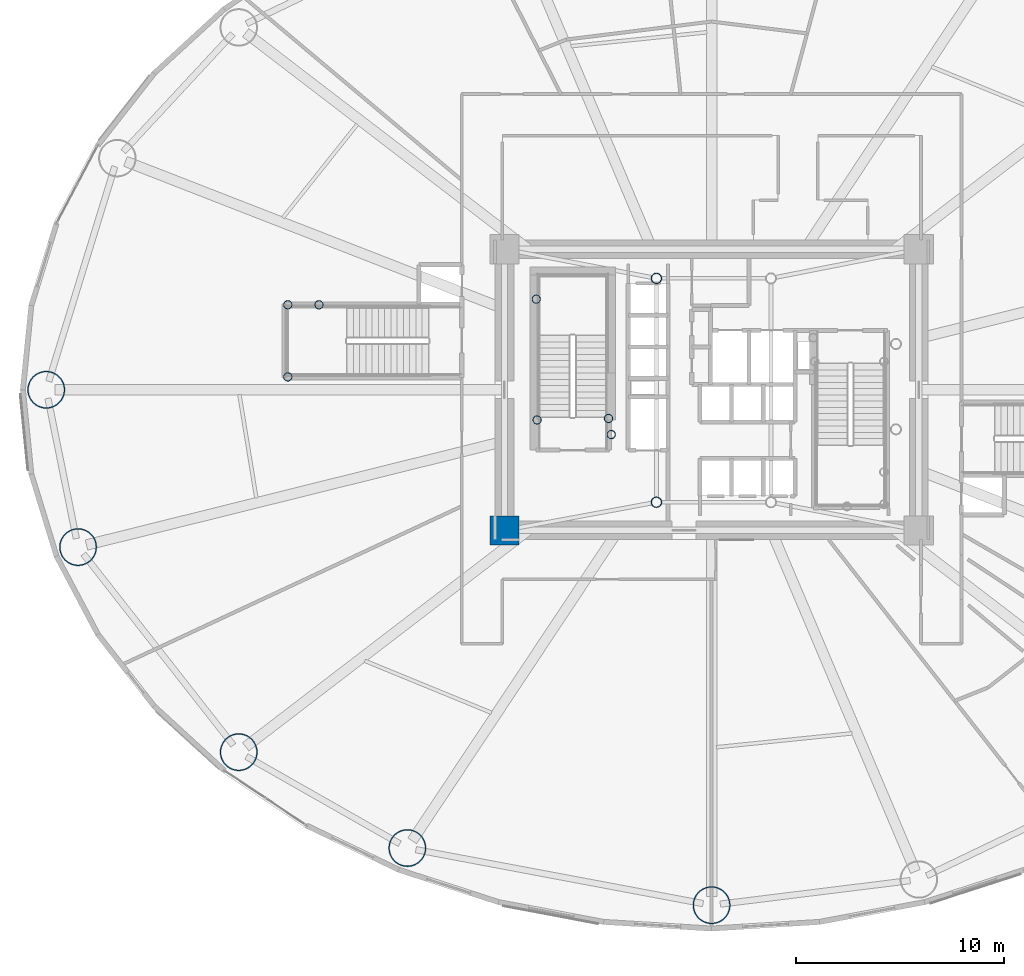
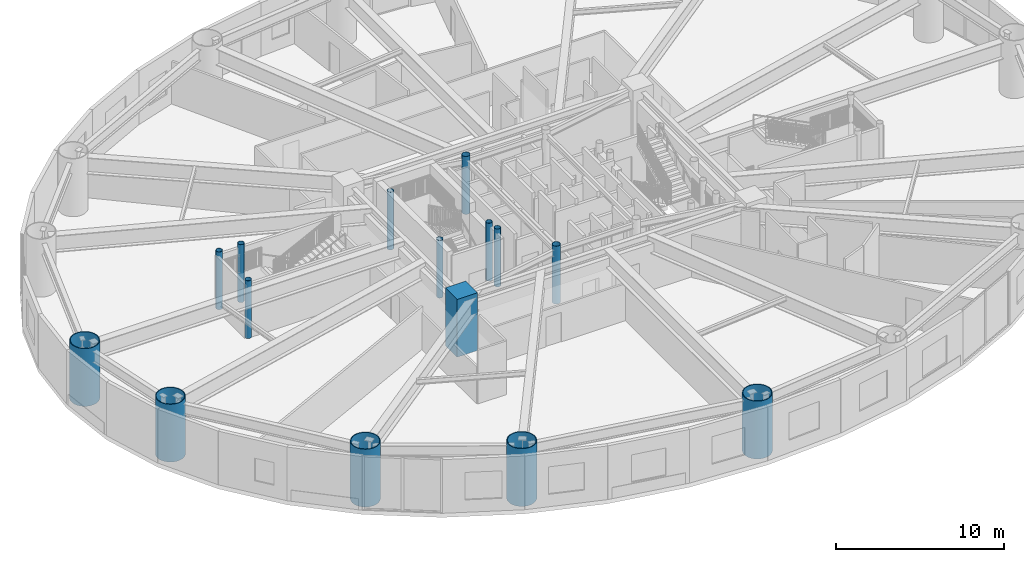
# One storey, part 1 of 27: 15 columns.
"""IFC4 building model written with IfcOpenShell, lengths in metres."""

from ifc_helpers import new_model, si_unit, direction, frame, origin, origin_2d, place, context, subcontext, project, spatial, rectangle, hollow_circle, extrude, material, material_profile, profile_set, type_object, element, save


model = new_model("IFC4")

# Units and contexts
model_context = context("Model", 3, precision=1e-05, world=origin(), true_north=direction((0.0, 1.0)))
body_context = subcontext(model_context, "Body", "Model", "MODEL_VIEW")
ifc_project = project(units=[si_unit("LENGTHUNIT", "METRE"), si_unit("AREAUNIT", "SQUARE_METRE"), si_unit("VOLUMEUNIT", "CUBIC_METRE"), si_unit("PLANEANGLEUNIT", "RADIAN"), si_unit("MASSUNIT", "GRAM", prefix="KILO")], contexts=[model_context])

# Site, building, storey
site_placement = place(None, origin())
site = spatial("IfcSite", under=ifc_project, at=site_placement, CompositionType="ELEMENT")
building_placement = place(site_placement, origin())
building = spatial("IfcBuilding", under=site, at=building_placement, Name="Linh Dai School and Residence Tower", CompositionType="ELEMENT")
storey_placement = place(building_placement, frame((0.0, 0.0, 22.800048828125)))
storey = spatial("IfcBuildingStorey", under=building, at=storey_placement, Name="L05", CompositionType="ELEMENT", Elevation=22.800048828125)

# Columns
ifc_material_1 = material(Name="Concrete B60 (C50/60)", Category="concrete")
ifc_material_profile_1 = material_profile(ifc_material_1, rectangle(XDim=1.39990234375, YDim=1.39990234375, at=origin_2d()), Name="RC 1400x1400")
ifc_profile_set_1 = profile_set([ifc_material_profile_1], Name="Concrete B60 (C50/60)")
column_type_1 = type_object("IfcColumnType", Name="COL-CC1", PredefinedType="COLUMN", material=ifc_profile_set_1)
column_placement = place(storey_placement, frame((26.050048828125, 20.25, 0.0), z_axis=(0.0, 0.0, 1.0), x_axis=(1.0, 0.0, 0.0)))
element("IfcColumn", 1, at=column_placement, inside=storey, type_object=column_type_1, Name="L05 Core Corner Pier CC1", PredefinedType="COLUMN", context=body_context, shape_type="SweptSolid", body=[
    extrude(rectangle(XDim=1.39990234375, YDim=1.39990234375, at=origin_2d()), origin(), (0.0, 0.0, 1.0), 4.199951171875),
])
ifc_material_2 = material(Name="Structural Steel S355JR", Category="steel")
ifc_material_profile_2 = material_profile(ifc_material_2, hollow_circle(Radius=0.203125, WallThickness=0.01611328125, at=origin_2d()), Name="CHS 406.4x16")
ifc_profile_set_2 = profile_set([ifc_material_profile_2], Name="Structural Steel S355JR")
column_type_2 = type_object("IfcColumnType", Name="COL-EC", PredefinedType="COLUMN", material=ifc_profile_set_2)
for number, where, z_axis, x_axis, name in (
    (2, (27.580078125, 31.35009765625, 0.0), (0.0, 0.0, 1.0), (1.0, 0.0, 0.0), "L05 Stair Shaft Landing Support Pier ST1NW"),
    (3, (31.050048828125, 25.6201171875, 0.0), (0.0, 0.0, 1.0), (1.0, 0.0, 0.0), "L05 Stair Shaft Landing Support Pier ST1SE"),
    (4, (31.179931640625, 24.85009765625, 0.0), (0.0, 0.0, 1.0), (1.0, 0.0, 0.0), "L05 Stair Shaft Landing Support Pier ST1SM"),
    (5, (27.6201171875, 25.550048828125, 0.0), (0.0, 0.0, 1.0), (1.0, 0.0, 0.0), "L05 Stair Shaft Landing Support Pier ST1SW"),
    (6, (15.64990234375, 27.6201171875, 0.0), (0.0, 0.0, 1.0), (1.0, 0.0, 0.0), "L05 Stair Shaft Landing Support Pier STS1SW"),
    (7, (15.64990234375, 31.080078125, 0.0), (0.0, 0.0, 1.0), (1.0, 0.0, 0.0), "L05 Stair Shaft Landing Support Pier STS1NW"),
    (8, (17.14990234375, 31.080078125, 0.0), (0.0, 0.0, 1.0), (1.0, 0.0, 0.0), "L05 Stair Shaft Landing Support Pier STS1ME"),
):
    element("IfcColumn", number, at=place(storey_placement, frame(where, z_axis=z_axis, x_axis=x_axis)), inside=storey, type_object=column_type_2, Name=name, PredefinedType="COLUMN", context=body_context, shape_type="SweptSolid", body=[
        extrude(hollow_circle(Radius=0.203125, WallThickness=0.01611328125, at=origin_2d()), origin(), (0.0, 0.0, 1.0), 4.199951171875),
    ])
ifc_material_profile_3 = material_profile(ifc_material_2, hollow_circle(Radius=0.89990234375, WallThickness=0.050048828125, at=origin_2d()), Name="CHS 1800x50")
ifc_profile_set_3 = profile_set([ifc_material_profile_3], Name="Structural Steel S355JR")
column_type_3 = type_object("IfcColumnType", Name="COL-MC1", PredefinedType="COLUMN", material=ifc_profile_set_3)
for number, where, z_axis, x_axis, name in (
    (9, (4.050048828125, 27.0, 0.0), (0.0, 0.0, 1.0), (1.0, 0.0, 0.0), "L05 Perimeter CFT Mega-Column MC09"),
    (10, (5.57958984375, 19.444580078125, 0.0), (0.0, 0.0, 1.0), (1.0, 0.0, 0.0), "L05 Perimeter CFT Mega-Column MC10"),
    (11, (13.294677734375, 9.599365234375, 0.0), (0.0, 0.0, 1.0), (1.0, 0.0, 0.0), "L05 Perimeter CFT Mega-Column MC11"),
    (12, (21.390869140625, 4.994873046875, 0.0), (0.0, 0.0, 1.0), (1.0, 0.0, 0.0), "L05 Perimeter CFT Mega-Column MC12"),
    (13, (36.0, 2.25, 0.0), (0.0, 0.0, 1.0), (1.0, 0.0, 0.0), "L05 Perimeter CFT Mega-Column MC13"),
):
    element("IfcColumn", number, at=place(storey_placement, frame(where, z_axis=z_axis, x_axis=x_axis)), inside=storey, type_object=column_type_3, Name=name, PredefinedType="COLUMN", context=body_context, shape_type="SweptSolid", body=[
        extrude(hollow_circle(Radius=0.89990234375, WallThickness=0.050048828125, at=origin_2d()), origin(), (0.0, 0.0, 1.0), 4.199951171875),
    ])
ifc_material_profile_4 = material_profile(ifc_material_2, hollow_circle(Radius=0.25390625, WallThickness=0.02001953125, at=origin_2d()), Name="CHS 508x20")
ifc_profile_set_4 = profile_set([ifc_material_profile_4], Name="Structural Steel S355JR")
column_type_4 = type_object("IfcColumnType", Name="COL-MCP", PredefinedType="COLUMN", material=ifc_profile_set_4)
for number, where, z_axis, x_axis, name in (
    (14, (33.35009765625, 21.60009765625, 0.0), (0.0, 0.0, 1.0), (1.0, 0.0, 0.0), "L05 Core Mast Support Pier MCP1"),
    (15, (33.35009765625, 32.35009765625, 0.0), (0.0, 0.0, 1.0), (1.0, 0.0, 0.0), "L05 Core Mast Support Pier MCP4"),
):
    element("IfcColumn", number, at=place(storey_placement, frame(where, z_axis=z_axis, x_axis=x_axis)), inside=storey, type_object=column_type_4, Name=name, PredefinedType="COLUMN", context=body_context, shape_type="SweptSolid", body=[
        extrude(hollow_circle(Radius=0.25390625, WallThickness=0.02001953125, at=origin_2d()), origin(), (0.0, 0.0, 1.0), 4.199951171875),
    ])

save(model, "model.ifc")
